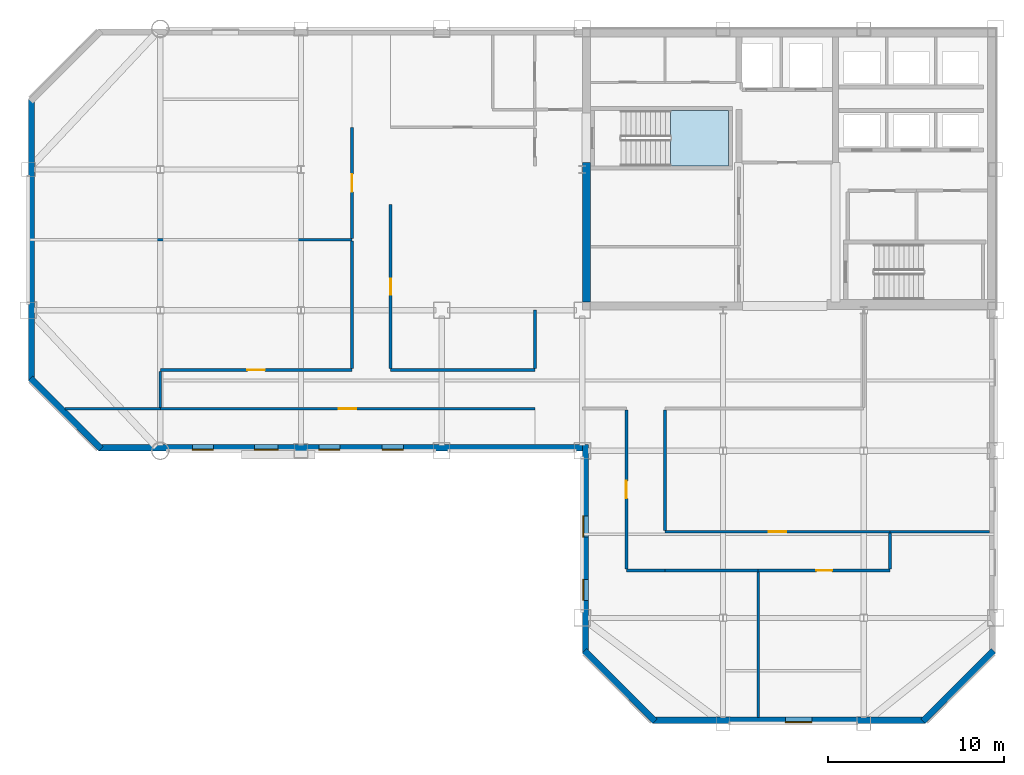
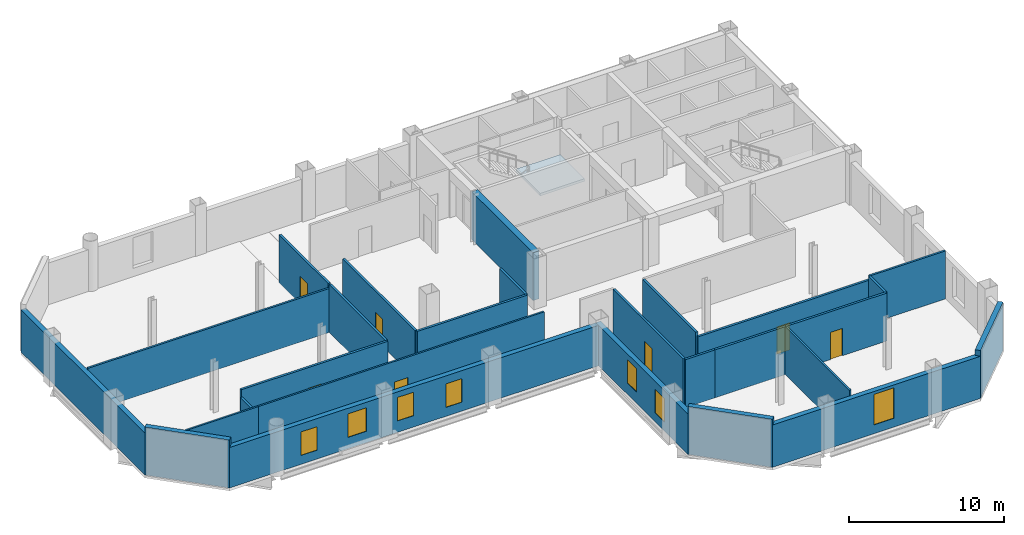
# One storey, part 4 of 10: 27 walls, 7 doors, 7 windows, 1 slab, 14 openings, 1 element without a shape of its own.
"""IFC4 building model written with IfcOpenShell, lengths in metres."""

from ifc_helpers import new_model, si_unit, direction, frame, frame_2d, origin, place, context, subcontext, project, spatial, polyline, rectangle, outline, extrude, material, layer, layer_set, type_object, element, fill, aggregate, save


model = new_model("IFC4")

# Units and contexts
model_context = context("Model", 3, precision=1e-05, world=origin(), true_north=direction((0.0, 1.0)))
body_context = subcontext(model_context, "Body", "Model", "MODEL_VIEW")
ifc_project = project(units=[si_unit("LENGTHUNIT", "METRE"), si_unit("AREAUNIT", "SQUARE_METRE"), si_unit("VOLUMEUNIT", "CUBIC_METRE"), si_unit("PLANEANGLEUNIT", "RADIAN"), si_unit("MASSUNIT", "GRAM", prefix="KILO")], contexts=[model_context])

# Site, building, storey
site_placement = place(None, origin())
site = spatial("IfcSite", under=ifc_project, at=site_placement, CompositionType="ELEMENT")
building_placement = place(site_placement, origin())
building = spatial("IfcBuilding", under=site, at=building_placement, Name="Qianrong Seaharbour Tower", CompositionType="ELEMENT")
storey_placement = place(building_placement, frame((0.0, 0.0, 233.800048828125)))
storey = spatial("IfcBuildingStorey", under=building, at=storey_placement, Name="L56", CompositionType="ELEMENT", Elevation=233.800048828125)

# Stair, slab
ifc_material_1 = material(Name="Concrete C50/60", Category="concrete")
stair_type = type_object("IfcStairType", Name="STAIR-DOGLEG-1500-R22", PredefinedType="HALF_TURN_STAIR", material=ifc_material_1)
stair_placement = place(storey_placement, origin())
stair = element("IfcStair", 1, at=stair_placement, inside=storey, type_object=stair_type, Name="L56 Protected Escape Stair ST-1", PredefinedType="HALF_TURN_STAIR")
ifc_layer_1 = layer(ifc_material_1, 0.199951171875)
ifc_layer_set_1 = layer_set([ifc_layer_1], Name="Concrete C50/60")
slab_type = type_object("IfcSlabType", Name="SLAB-STAIR-LANDING-200", PredefinedType="LANDING", material=ifc_layer_set_1)
slab_placement = place(storey_placement, frame((0.0, 0.0, 1.800048828125)))
slab = element("IfcSlab", 2, at=slab_placement, type_object=slab_type, Name="ST-1 landing 1", PredefinedType="LANDING", context=body_context, shape_type="SweptSolid", body=[
    extrude(outline(polyline([(45.5, 44.199951171875), (48.800048828125, 44.199951171875), (48.800048828125, 47.35009765625), (45.5, 47.35009765625), (45.5, 44.199951171875)])), origin(), (0.0, 0.0, 1.0), 0.199951171875),
])
aggregate(stair, [slab])

# Walls
ifc_material_2 = material(Name="Concrete C60/75", Category="concrete")
ifc_layer_2 = layer(ifc_material_2, 0.4599609375)
ifc_layer_set_2 = layer_set([ifc_layer_2], Name="Concrete C60/75")
wall_type_1 = type_object("IfcWallType", Name="WALL-CORE-460", PredefinedType="SHEAR", material=ifc_layer_set_2)
wall_1_placement = place(storey_placement, frame((40.72998046875, 36.4599609375, 0.0), z_axis=(0.0, 0.0, 1.0), x_axis=(0.0, 1.0, 0.0)))
element("IfcWall", 3, at=wall_1_placement, inside=storey, type_object=wall_type_1, Name="L56 West Core Shear Wall South", PredefinedType="SHEAR", context=body_context, shape_type="SweptSolid", body=[
    extrude(rectangle(XDim=7.93994140625, YDim=0.4599609375, at=frame_2d((3.969970703125, 0.0))), origin(), (0.0, 0.0, 1.0), 3.77490234375),
])
ifc_material_3 = material(Name="Fire-rated acoustic gypsum board partition")
ifc_layer_3 = layer(ifc_material_3, 0.1650390625)
ifc_layer_set_3 = layer_set([ifc_layer_3], Name="Fire-rated acoustic gypsum board partition")
wall_type_2 = type_object("IfcWallType", Name="WALL-CORR-PART-165", PredefinedType="PARTITIONING", material=ifc_layer_set_3)
wall_2_placement = place(storey_placement, frame((16.5, 30.45703125, 0.0), z_axis=(0.0, 0.0, 1.0), x_axis=(0.0, 1.0, 0.0)))
element("IfcWall", 4, at=wall_2_placement, inside=storey, type_object=wall_type_2, Name="L56 Interior Partition Wall 018", PredefinedType="PARTITIONING", context=body_context, shape_type="SweptSolid", body=[
    extrude(rectangle(XDim=2.068359375, YDim=0.1650390625, at=frame_2d((1.0341796875, 0.0))), origin(), (0.0, 0.0, 1.0), 3.178955078125),
])

# Wall, opening, door
wall_3_placement = place(storey_placement, frame((16.5, 32.60009765625, 0.0), z_axis=(0.0, 0.0, 1.0), x_axis=(1.0, 0.0, 0.0)))
wall_3 = element("IfcWall", 5, at=wall_3_placement, inside=storey, type_object=wall_type_2, Name="L56 Interior Partition Wall 019", PredefinedType="PARTITIONING", context=body_context, shape_type="SweptSolid", body=[
    extrude(rectangle(XDim=10.89990234375, YDim=0.1650390625, at=frame_2d((5.449951171875, 0.0))), origin(), (0.0, 0.0, 1.0), 3.77490234375),
])
opening_1_placement = place(wall_3_placement, frame((4.949951171875, 0.0, 0.0)))
opening_1 = element("IfcOpeningElement", 6, at=opening_1_placement, cuts=wall_3, Name="Opening DO-01", PredefinedType="OPENING", context=body_context, shape_type="SweptSolid", body=[
    extrude(rectangle(XDim=1.0, YDim=2.14990234375, at=frame_2d((0.5, 1.074951171875))), frame((0.0, 0.092529296875, 0.0), z_axis=(0.0, -1.0, 0.0), x_axis=(1.0, 0.0, 0.0)), (0.0, 0.0, 1.0), 0.18505859375),
])
ifc_material_4 = material(Name="Acoustic timber and galvanized steel fire door assembly", Category="steel")
door_type_1 = type_object("IfcDoorType", Name="DOOR-OFFICE-1000x2150", OperationType="NOTDEFINED", PredefinedType="DOOR", material=ifc_material_4)
door_1_placement = place(opening_1_placement, origin())
door_1 = element("IfcDoor", 7, at=door_1_placement, inside=storey, type_object=door_type_1, Name="L56 Project Library Door", OperationType="SINGLE_SWING_RIGHT", OverallHeight=2.14990234375, OverallWidth=1.0, PredefinedType="DOOR", context=body_context, shape_type="SweptSolid", body=[
    extrude(rectangle(XDim=1.0, YDim=2.14990234375, at=frame_2d((0.5, 1.074951171875))), frame((0.0, 0.02490234375, 0.0), z_axis=(0.0, -1.0, 0.0), x_axis=(1.0, 0.0, 0.0)), (0.0, 0.0, 1.0), 0.050048828125),
])
fill(opening_1, door_1)

# Wall
wall_4_placement = place(storey_placement, frame((29.60009765625, 32.60009765625, 0.0), z_axis=(0.0, 0.0, 1.0), x_axis=(1.0, 0.0, 0.0)))
element("IfcWall", 8, at=wall_4_placement, inside=storey, type_object=wall_type_2, Name="L56 Interior Partition Wall 020", PredefinedType="PARTITIONING", context=body_context, shape_type="SweptSolid", body=[
    extrude(rectangle(XDim=8.199951171875, YDim=0.1650390625, at=frame_2d((4.10009765625, 0.0))), origin(), (0.0, 0.0, 1.0), 3.77490234375),
])

# Wall, opening, door
wall_5_placement = place(storey_placement, frame((27.39990234375, 40.064453125, 0.0), z_axis=(0.0, 0.0, 1.0), x_axis=(0.0, 1.0, 0.0)))
wall_5 = element("IfcWall", 9, at=wall_5_placement, inside=storey, type_object=wall_type_2, Name="L56 Interior Partition Wall 022", PredefinedType="PARTITIONING", context=body_context, shape_type="SweptSolid", body=[
    extrude(rectangle(XDim=6.33544921875, YDim=0.1650390625, at=frame_2d((3.167724609375, 0.0))), origin(), (0.0, 0.0, 1.0), 3.77490234375),
])
opening_2_placement = place(wall_5_placement, frame((2.667724609375, 0.0, 0.0)))
opening_2 = element("IfcOpeningElement", 10, at=opening_2_placement, cuts=wall_5, Name="Opening DO-01", PredefinedType="OPENING", context=body_context, shape_type="SweptSolid", body=[
    extrude(rectangle(XDim=1.0, YDim=2.14990234375, at=frame_2d((0.5, 1.074951171875))), frame((0.0, 0.092529296875, 0.0), z_axis=(0.0, -1.0, 0.0), x_axis=(1.0, 0.0, 0.0)), (0.0, 0.0, 1.0), 0.18505859375),
])
door_2_placement = place(opening_2_placement, origin())
door_2 = element("IfcDoor", 11, at=door_2_placement, inside=storey, type_object=door_type_1, Name="L56 West Wing Open-Plan Office Door", OperationType="SINGLE_SWING_LEFT", OverallHeight=2.14990234375, OverallWidth=1.0, PredefinedType="DOOR", context=body_context, shape_type="SweptSolid", body=[
    extrude(rectangle(XDim=1.0, YDim=2.14990234375, at=frame_2d((0.5, 1.074951171875))), frame((0.0, 0.02490234375, 0.0), z_axis=(0.0, -1.0, 0.0), x_axis=(1.0, 0.0, 0.0)), (0.0, 0.0, 1.0), 0.050048828125),
])
fill(opening_2, door_2)

# Wall
wall_6_placement = place(storey_placement, frame((27.39990234375, 32.674560546875, 0.0), z_axis=(0.0, 0.0, 1.0), x_axis=(0.0, 1.0, 0.0)))
element("IfcWall", 12, at=wall_6_placement, inside=storey, type_object=wall_type_2, Name="L56 Interior Partition Wall 023", PredefinedType="PARTITIONING", context=body_context, shape_type="SweptSolid", body=[
    extrude(rectangle(XDim=7.260986328125, YDim=0.1650390625, at=frame_2d((3.63037109375, 0.0))), origin(), (0.0, 0.0, 1.0), 3.77490234375),
])

# Wall, opening, door
wall_7_placement = place(storey_placement, frame((29.60009765625, 42.0, 0.0), z_axis=(0.0, 0.0, 1.0), x_axis=(0.0, -1.0, 0.0)))
wall_7 = element("IfcWall", 13, at=wall_7_placement, inside=storey, type_object=wall_type_2, Name="L56 Interior Partition Wall 024", PredefinedType="PARTITIONING", context=body_context, shape_type="SweptSolid", body=[
    extrude(rectangle(XDim=9.325439453125, YDim=0.1650390625, at=frame_2d((4.66259765625, 0.0))), origin(), (0.0, 0.0, 1.0), 3.77490234375),
])
opening_3_placement = place(wall_7_placement, frame((4.212646484375, 0.0, 0.0)))
opening_3 = element("IfcOpeningElement", 14, at=opening_3_placement, cuts=wall_7, Name="Opening DS-01", PredefinedType="OPENING", context=body_context, shape_type="SweptSolid", body=[
    extrude(rectangle(XDim=0.89990234375, YDim=2.14990234375, at=frame_2d((0.449951171875, 1.074951171875))), frame((0.0, 0.092529296875, 0.0), z_axis=(0.0, -1.0, 0.0), x_axis=(1.0, 0.0, 0.0)), (0.0, 0.0, 1.0), 0.18505859375),
])
door_type_2 = type_object("IfcDoorType", Name="DOOR-STORE-900x2150", OperationType="NOTDEFINED", PredefinedType="DOOR", material=ifc_material_4)
door_3_placement = place(opening_3_placement, origin())
door_3 = element("IfcDoor", 15, at=door_3_placement, inside=storey, type_object=door_type_2, Name="L56 Corporate Archive Room 1 Door", OperationType="SINGLE_SWING_LEFT", OverallHeight=2.14990234375, OverallWidth=0.89990234375, PredefinedType="DOOR", context=body_context, shape_type="SweptSolid", body=[
    extrude(rectangle(XDim=0.89990234375, YDim=2.14990234375, at=frame_2d((0.449951171875, 1.074951171875))), frame((0.0, 0.02490234375, 0.0), z_axis=(0.0, -1.0, 0.0), x_axis=(1.0, 0.0, 0.0)), (0.0, 0.0, 1.0), 0.050048828125),
])
fill(opening_3, door_3)

# Walls
wall_8_placement = place(storey_placement, frame((37.800048828125, 32.674560546875, 0.0), z_axis=(0.0, 0.0, 1.0), x_axis=(0.0, 1.0, 0.0)))
element("IfcWall", 16, at=wall_8_placement, inside=storey, type_object=wall_type_2, Name="L56 Interior Partition Wall 026", PredefinedType="PARTITIONING", context=body_context, shape_type="SweptSolid", body=[
    extrude(rectangle(XDim=3.325439453125, YDim=0.1650390625, at=frame_2d((1.66259765625, 0.0))), origin(), (0.0, 0.0, 1.0), 3.77490234375),
])
wall_9_placement = place(storey_placement, frame((45.199951171875, 30.325439453125, 0.0), z_axis=(0.0, 0.0, 1.0), x_axis=(0.0, -1.0, 0.0)))
element("IfcWall", 17, at=wall_9_placement, inside=storey, type_object=wall_type_2, Name="L56 Interior Partition Wall 030", PredefinedType="PARTITIONING", context=body_context, shape_type="SweptSolid", body=[
    extrude(rectangle(XDim=6.850830078125, YDim=0.1650390625, at=frame_2d((3.42529296875, 0.0))), origin(), (0.0, 0.0, 1.0), 3.77490234375),
])
wall_10_placement = place(storey_placement, frame((45.199951171875, 21.199951171875, 0.0), z_axis=(0.0, 0.0, 1.0), x_axis=(-1.0, 0.0, 0.0)))
element("IfcWall", 18, at=wall_10_placement, inside=storey, type_object=wall_type_2, Name="L56 Interior Partition Wall 031", PredefinedType="PARTITIONING", context=body_context, shape_type="SweptSolid", body=[
    extrude(rectangle(XDim=2.199951171875, YDim=0.1650390625, at=frame_2d((1.10009765625, 0.0))), origin(), (0.0, 0.0, 1.0), 3.77490234375),
])

# Wall, opening, door
wall_11_placement = place(storey_placement, frame((43.0, 21.2744140625, 0.0), z_axis=(0.0, 0.0, 1.0), x_axis=(0.0, 1.0, 0.0)))
wall_11 = element("IfcWall", 19, at=wall_11_placement, inside=storey, type_object=wall_type_2, Name="L56 Interior Partition Wall 032", PredefinedType="PARTITIONING", context=body_context, shape_type="SweptSolid", body=[
    extrude(rectangle(XDim=9.051025390625, YDim=0.1650390625, at=frame_2d((4.525390625, 0.0))), origin(), (0.0, 0.0, 1.0), 3.77490234375),
])
opening_4_placement = place(wall_11_placement, frame((4.025390625, 0.0, 0.0)))
opening_4 = element("IfcOpeningElement", 20, at=opening_4_placement, cuts=wall_11, Name="Opening DO-01", PredefinedType="OPENING", context=body_context, shape_type="SweptSolid", body=[
    extrude(rectangle(XDim=1.0, YDim=2.14990234375, at=frame_2d((0.5, 1.074951171875))), frame((0.0, 0.092529296875, 0.0), z_axis=(0.0, -1.0, 0.0), x_axis=(1.0, 0.0, 0.0)), (0.0, 0.0, 1.0), 0.18505859375),
])
door_4_placement = place(opening_4_placement, origin())
door_4 = element("IfcDoor", 21, at=door_4_placement, inside=storey, type_object=door_type_1, Name="L56 Harbour Symposium Hall 1 Door", OperationType="SINGLE_SWING_LEFT", OverallHeight=2.14990234375, OverallWidth=1.0, PredefinedType="DOOR", context=body_context, shape_type="SweptSolid", body=[
    extrude(rectangle(XDim=1.0, YDim=2.14990234375, at=frame_2d((0.5, 1.074951171875))), frame((0.0, 0.02490234375, 0.0), z_axis=(0.0, -1.0, 0.0), x_axis=(1.0, 0.0, 0.0)), (0.0, 0.0, 1.0), 0.050048828125),
])
fill(opening_4, door_4)

wall_12_placement = place(storey_placement, frame((45.199951171875, 23.39990234375, 0.0), z_axis=(0.0, 0.0, 1.0), x_axis=(1.0, 0.0, 0.0)))
wall_12 = element("IfcWall", 22, at=wall_12_placement, inside=storey, type_object=wall_type_2, Name="L56 Interior Partition Wall 033", PredefinedType="PARTITIONING", context=body_context, shape_type="SweptSolid", body=[
    extrude(rectangle(XDim=12.800048828125, YDim=0.1650390625, at=frame_2d((6.39990234375, 0.0))), origin(), (0.0, 0.0, 1.0), 3.467041015625),
])
opening_5_placement = place(wall_12_placement, frame((5.89990234375, 0.0, 0.0)))
opening_5 = element("IfcOpeningElement", 23, at=opening_5_placement, cuts=wall_12, Name="Opening DO-01", PredefinedType="OPENING", context=body_context, shape_type="SweptSolid", body=[
    extrude(rectangle(XDim=1.0, YDim=2.14990234375, at=frame_2d((0.5, 1.074951171875))), frame((0.0, 0.092529296875, 0.0), z_axis=(0.0, -1.0, 0.0), x_axis=(1.0, 0.0, 0.0)), (0.0, 0.0, 1.0), 0.18505859375),
])
door_5_placement = place(opening_5_placement, origin())
door_5 = element("IfcDoor", 24, at=door_5_placement, inside=storey, type_object=door_type_1, Name="L56 Staff Club Assembly Hall Door", OperationType="SINGLE_SWING_LEFT", OverallHeight=2.14990234375, OverallWidth=1.0, PredefinedType="DOOR", context=body_context, shape_type="SweptSolid", body=[
    extrude(rectangle(XDim=1.0, YDim=2.14990234375, at=frame_2d((0.5, 1.074951171875))), frame((0.0, 0.02490234375, 0.0), z_axis=(0.0, -1.0, 0.0), x_axis=(1.0, 0.0, 0.0)), (0.0, 0.0, 1.0), 0.050048828125),
])
fill(opening_5, door_5)

# Walls
wall_13_placement = place(storey_placement, frame((50.5, 21.199951171875, 0.0), z_axis=(0.0, 0.0, 1.0), x_axis=(-1.0, 0.0, 0.0)))
element("IfcWall", 25, at=wall_13_placement, inside=storey, type_object=wall_type_2, Name="L56 Interior Partition Wall 034", PredefinedType="PARTITIONING", context=body_context, shape_type="SweptSolid", body=[
    extrude(rectangle(XDim=5.300048828125, YDim=0.1650390625, at=frame_2d((2.64990234375, 0.0))), origin(), (0.0, 0.0, 1.0), 3.77490234375),
])
wall_14_placement = place(storey_placement, frame((58.0, 23.325439453125, 0.0), z_axis=(0.0, 0.0, 1.0), x_axis=(0.0, -1.0, 0.0)))
element("IfcWall", 26, at=wall_14_placement, inside=storey, type_object=wall_type_2, Name="L56 Interior Partition Wall 035", PredefinedType="PARTITIONING", context=body_context, shape_type="SweptSolid", body=[
    extrude(rectangle(XDim=2.051025390625, YDim=0.1650390625, at=frame_2d((1.025390625, 0.0))), origin(), (0.0, 0.0, 1.0), 3.77490234375),
])

# Wall, opening, door
wall_15_placement = place(storey_placement, frame((58.0, 21.199951171875, 0.0), z_axis=(0.0, 0.0, 1.0), x_axis=(-1.0, 0.0, 0.0)))
wall_15 = element("IfcWall", 27, at=wall_15_placement, inside=storey, type_object=wall_type_2, Name="L56 Interior Partition Wall 036", PredefinedType="PARTITIONING", context=body_context, shape_type="SweptSolid", body=[
    extrude(rectangle(XDim=7.5, YDim=0.1650390625, at=frame_2d((3.75, 0.0))), origin(), (0.0, 0.0, 1.0), 3.77490234375),
])
opening_6_placement = place(wall_15_placement, frame((3.300048828125, 0.0, 0.0)))
opening_6 = element("IfcOpeningElement", 28, at=opening_6_placement, cuts=wall_15, Name="Opening DS-01", PredefinedType="OPENING", context=body_context, shape_type="SweptSolid", body=[
    extrude(rectangle(XDim=0.89990234375, YDim=2.14990234375, at=frame_2d((0.449951171875, 1.074951171875))), frame((0.0, 0.092529296875, 0.0), z_axis=(0.0, -1.0, 0.0), x_axis=(1.0, 0.0, 0.0)), (0.0, 0.0, 1.0), 0.18505859375),
])
door_6_placement = place(opening_6_placement, origin())
door_6 = element("IfcDoor", 29, at=door_6_placement, inside=storey, type_object=door_type_2, Name="L56 Corporate Archive Room 2 Door", OperationType="SINGLE_SWING_RIGHT", OverallHeight=2.14990234375, OverallWidth=0.89990234375, PredefinedType="DOOR", context=body_context, shape_type="SweptSolid", body=[
    extrude(rectangle(XDim=0.89990234375, YDim=2.14990234375, at=frame_2d((0.449951171875, 1.074951171875))), frame((0.0, 0.02490234375, 0.0), z_axis=(0.0, -1.0, 0.0), x_axis=(1.0, 0.0, 0.0)), (0.0, 0.0, 1.0), 0.050048828125),
])
fill(opening_6, door_6)

# Wall, openings, windows
ifc_material_5 = material(Name="Unitised red brick on Precast concrete C45/55", Category="masonry")
ifc_layer_4 = layer(ifc_material_5, 0.360107421875)
ifc_layer_set_4 = layer_set([ifc_layer_4], Name="Unitised red brick on Precast concrete C45/55")
wall_type_3 = type_object("IfcWallType", Name="WALL-EXT-BRICK-RED-360", PredefinedType="SOLIDWALL", material=ifc_layer_set_4)
wall_16_placement = place(storey_placement, frame((40.679931640625, 16.5, 0.0), z_axis=(0.0, 0.0, 1.0), x_axis=(0.0, 1.0, 0.0)))
wall_16 = element("IfcWall", 30, at=wall_16_placement, inside=storey, type_object=wall_type_3, Name="L56 Exterior Masonry Facade Wall REENTRANT_WEST", PredefinedType="SOLIDWALL", context=body_context, shape_type="SweptSolid", body=[
    extrude(rectangle(XDim=11.860107421875, YDim=0.360107421875, at=frame_2d((5.93017578125, 0.0))), origin(), (0.0, 0.0, 1.0), 3.18701171875),
])
opening_7_placement = place(wall_16_placement, frame((3.0, 0.0, 0.699951171875)))
opening_7 = element("IfcOpeningElement", 31, at=opening_7_placement, cuts=wall_16, Name="Opening WN-01", PredefinedType="OPENING", context=body_context, shape_type="SweptSolid", body=[
    extrude(rectangle(XDim=1.199951171875, YDim=1.85009765625, at=frame_2d((0.60009765625, 0.925048828125))), frame((0.0, 0.18994140625, 0.0), z_axis=(0.0, -1.0, 0.0), x_axis=(1.0, 0.0, 0.0)), (0.0, 0.0, 1.0), 0.380126953125),
])
opening_8_placement = place(wall_16_placement, frame((6.60009765625, 0.0, 0.89990234375)))
opening_8 = element("IfcOpeningElement", 32, at=opening_8_placement, cuts=wall_16, Name="Opening WN-01", PredefinedType="OPENING", context=body_context, shape_type="SweptSolid", body=[
    extrude(rectangle(XDim=1.199951171875, YDim=1.85009765625, at=frame_2d((0.60009765625, 0.925048828125))), frame((0.0, 0.18994140625, 0.0), z_axis=(0.0, -1.0, 0.0), x_axis=(1.0, 0.0, 0.0)), (0.0, 0.0, 1.0), 0.380126953125),
])
ifc_material_6 = material(Name="Insulated low-e double glazing in thermally broken aluminium 6063-T6 frame", Category="aluminium")
window_type_1 = type_object("IfcWindowType", Name="WIN-PUNCH-1200x1850", PartitioningType="DOUBLE_PANEL_VERTICAL", PredefinedType="WINDOW", material=ifc_material_6)
window_1_placement = place(opening_7_placement, origin())
window_1 = element("IfcWindow", 33, at=window_1_placement, inside=storey, type_object=window_type_1, Name="L56 Deep-Set Punched Window 00.01", OverallHeight=1.85009765625, OverallWidth=1.199951171875, PartitioningType="DOUBLE_PANEL_VERTICAL", PredefinedType="WINDOW", context=body_context, shape_type="SweptSolid", body=[
    extrude(rectangle(XDim=1.199951171875, YDim=1.85009765625, at=frame_2d((0.60009765625, 0.925048828125))), frame((0.0, 0.150146484375, 0.0), z_axis=(0.0, -1.0, 0.0), x_axis=(1.0, 0.0, 0.0)), (0.0, 0.0, 1.0), 0.06005859375),
])
fill(opening_7, window_1)
window_2_placement = place(opening_8_placement, origin())
window_2 = element("IfcWindow", 34, at=window_2_placement, inside=storey, type_object=window_type_1, Name="L56 Deep-Set Punched Window 00.02", OverallHeight=1.85009765625, OverallWidth=1.199951171875, PartitioningType="DOUBLE_PANEL_VERTICAL", PredefinedType="WINDOW", context=body_context, shape_type="SweptSolid", body=[
    extrude(rectangle(XDim=1.199951171875, YDim=1.85009765625, at=frame_2d((0.60009765625, 0.925048828125))), frame((0.0, 0.150146484375, 0.0), z_axis=(0.0, -1.0, 0.0), x_axis=(1.0, 0.0, 0.0)), (0.0, 0.0, 1.0), 0.06005859375),
])
fill(opening_8, window_2)

wall_17_placement = place(storey_placement, frame((40.52001953125, 28.179931640625, 0.0), z_axis=(0.0, 0.0, 1.0), x_axis=(-1.0, 0.0, 0.0)))
wall_17 = element("IfcWall", 35, at=wall_17_placement, inside=storey, type_object=wall_type_3, Name="L56 Exterior Masonry Facade Wall HARBOUR_RIBBON", PredefinedType="SOLIDWALL", context=body_context, shape_type="SweptSolid", body=[
    extrude(rectangle(XDim=27.52001953125, YDim=0.360107421875, at=frame_2d((13.760009765625, 0.0))), origin(), (0.0, 0.0, 1.0), 3.18701171875),
])
opening_9_placement = place(wall_17_placement, frame((10.199951171875, 0.0, 0.699951171875)))
opening_9 = element("IfcOpeningElement", 36, at=opening_9_placement, cuts=wall_17, Name="Opening WN-01", PredefinedType="OPENING", context=body_context, shape_type="SweptSolid", body=[
    extrude(rectangle(XDim=1.199951171875, YDim=1.85009765625, at=frame_2d((0.60009765625, 0.925048828125))), frame((0.0, 0.18994140625, 0.0), z_axis=(0.0, -1.0, 0.0), x_axis=(1.0, 0.0, 0.0)), (0.0, 0.0, 1.0), 0.380126953125),
])
opening_10_placement = place(wall_17_placement, frame((13.800048828125, 0.0, 0.89990234375)))
opening_10 = element("IfcOpeningElement", 37, at=opening_10_placement, cuts=wall_17, Name="Opening WN-01", PredefinedType="OPENING", context=body_context, shape_type="SweptSolid", body=[
    extrude(rectangle(XDim=1.199951171875, YDim=1.85009765625, at=frame_2d((0.60009765625, 0.925048828125))), frame((0.0, 0.18994140625, 0.0), z_axis=(0.0, -1.0, 0.0), x_axis=(1.0, 0.0, 0.0)), (0.0, 0.0, 1.0), 0.380126953125),
])
opening_11_placement = place(wall_17_placement, frame((17.324951171875, 0.0, 0.89990234375)))
opening_11 = element("IfcOpeningElement", 38, at=opening_11_placement, cuts=wall_17, Name="Opening WN-02", PredefinedType="OPENING", context=body_context, shape_type="SweptSolid", body=[
    extrude(rectangle(XDim=1.35009765625, YDim=1.85009765625, at=frame_2d((0.675048828125, 0.925048828125))), frame((0.0, 0.18994140625, 0.0), z_axis=(0.0, -1.0, 0.0), x_axis=(1.0, 0.0, 0.0)), (0.0, 0.0, 1.0), 0.380126953125),
])
opening_12_placement = place(wall_17_placement, frame((21.0, 0.0, 0.699951171875)))
opening_12 = element("IfcOpeningElement", 39, at=opening_12_placement, cuts=wall_17, Name="Opening WN-01", PredefinedType="OPENING", context=body_context, shape_type="SweptSolid", body=[
    extrude(rectangle(XDim=1.199951171875, YDim=1.85009765625, at=frame_2d((0.60009765625, 0.925048828125))), frame((0.0, 0.18994140625, 0.0), z_axis=(0.0, -1.0, 0.0), x_axis=(1.0, 0.0, 0.0)), (0.0, 0.0, 1.0), 0.380126953125),
])
window_3_placement = place(opening_9_placement, origin())
window_3 = element("IfcWindow", 40, at=window_3_placement, inside=storey, type_object=window_type_1, Name="L56 Deep-Set Punched Window 01.03", OverallHeight=1.85009765625, OverallWidth=1.199951171875, PartitioningType="DOUBLE_PANEL_VERTICAL", PredefinedType="WINDOW", context=body_context, shape_type="SweptSolid", body=[
    extrude(rectangle(XDim=1.199951171875, YDim=1.85009765625, at=frame_2d((0.60009765625, 0.925048828125))), frame((0.0, 0.150146484375, 0.0), z_axis=(0.0, -1.0, 0.0), x_axis=(1.0, 0.0, 0.0)), (0.0, 0.0, 1.0), 0.06005859375),
])
fill(opening_9, window_3)
window_4_placement = place(opening_10_placement, origin())
window_4 = element("IfcWindow", 41, at=window_4_placement, inside=storey, type_object=window_type_1, Name="L56 Deep-Set Punched Window 01.04", OverallHeight=1.85009765625, OverallWidth=1.199951171875, PartitioningType="DOUBLE_PANEL_VERTICAL", PredefinedType="WINDOW", context=body_context, shape_type="SweptSolid", body=[
    extrude(rectangle(XDim=1.199951171875, YDim=1.85009765625, at=frame_2d((0.60009765625, 0.925048828125))), frame((0.0, 0.150146484375, 0.0), z_axis=(0.0, -1.0, 0.0), x_axis=(1.0, 0.0, 0.0)), (0.0, 0.0, 1.0), 0.06005859375),
])
fill(opening_10, window_4)
window_5_placement = place(opening_12_placement, origin())
window_5 = element("IfcWindow", 42, at=window_5_placement, inside=storey, type_object=window_type_1, Name="L56 Deep-Set Punched Window 01.06", OverallHeight=1.85009765625, OverallWidth=1.199951171875, PartitioningType="DOUBLE_PANEL_VERTICAL", PredefinedType="WINDOW", context=body_context, shape_type="SweptSolid", body=[
    extrude(rectangle(XDim=1.199951171875, YDim=1.85009765625, at=frame_2d((0.60009765625, 0.925048828125))), frame((0.0, 0.150146484375, 0.0), z_axis=(0.0, -1.0, 0.0), x_axis=(1.0, 0.0, 0.0)), (0.0, 0.0, 1.0), 0.06005859375),
])
fill(opening_12, window_5)
window_type_2 = type_object("IfcWindowType", Name="WIN-PUNCH-1350x1850", PartitioningType="DOUBLE_PANEL_VERTICAL", PredefinedType="WINDOW", material=ifc_material_6)
window_6_placement = place(opening_11_placement, origin())
window_6 = element("IfcWindow", 43, at=window_6_placement, inside=storey, type_object=window_type_2, Name="L56 Deep-Set Punched Window 01.05", OverallHeight=1.85009765625, OverallWidth=1.35009765625, PartitioningType="DOUBLE_PANEL_VERTICAL", PredefinedType="WINDOW", context=body_context, shape_type="SweptSolid", body=[
    extrude(rectangle(XDim=1.35009765625, YDim=1.85009765625, at=frame_2d((0.675048828125, 0.925048828125))), frame((0.0, 0.150146484375, 0.0), z_axis=(0.0, -1.0, 0.0), x_axis=(1.0, 0.0, 0.0)), (0.0, 0.0, 1.0), 0.06005859375),
])
fill(opening_11, window_6)

# Walls
wall_18_placement = place(storey_placement, frame((13.127197265625, 28.127197265625, 0.0), z_axis=(0.0, 0.0, 1.0), x_axis=(-0.707106781187, 0.707106781187, 0.0)))
element("IfcWall", 44, at=wall_18_placement, inside=storey, type_object=wall_type_3, Name="L56 Exterior Masonry Facade Wall E02", PredefinedType="SOLIDWALL", context=body_context, shape_type="SweptSolid", body=[
    extrude(rectangle(XDim=5.65673828125, YDim=0.360107421875, at=frame_2d((2.828369140625, 0.0))), origin(), (0.0, 0.0, 1.0), 3.77490234375),
])
wall_19_placement = place(storey_placement, frame((9.179931640625, 32.0, 0.0), z_axis=(0.0, 0.0, 1.0), x_axis=(0.0, 1.0, 0.0)))
element("IfcWall", 45, at=wall_19_placement, inside=storey, type_object=wall_type_3, Name="L56 Exterior Masonry Facade Wall WEST_TIP", PredefinedType="SOLIDWALL", context=body_context, shape_type="SweptSolid", body=[
    extrude(rectangle(XDim=16.0, YDim=0.360107421875, at=frame_2d((8.0, 0.0))), origin(), (0.0, 0.0, 1.0), 3.324951171875),
])
wall_20_placement = place(storey_placement, frame((63.872802734375, 16.627197265625, 0.0), z_axis=(0.0, 0.0, 1.0), x_axis=(-0.707106781187, -0.707106781187, 0.0)))
element("IfcWall", 46, at=wall_20_placement, inside=storey, type_object=wall_type_3, Name="L56 Exterior Masonry Facade Wall E07", PredefinedType="SOLIDWALL", context=body_context, shape_type="SweptSolid", body=[
    extrude(rectangle(XDim=5.65673828125, YDim=0.360107421875, at=frame_2d((2.828369140625, 0.0))), origin(), (0.0, 0.0, 1.0), 3.77490234375),
])

# Wall, opening, window
wall_21_placement = place(storey_placement, frame((60.0, 12.679931640625, 0.0), z_axis=(0.0, 0.0, 1.0), x_axis=(-1.0, 0.0, 0.0)))
wall_21 = element("IfcWall", 47, at=wall_21_placement, inside=storey, type_object=wall_type_3, Name="L56 Exterior Masonry Facade Wall SOUTH_TIP", PredefinedType="SOLIDWALL", context=body_context, shape_type="SweptSolid", body=[
    extrude(rectangle(XDim=15.5, YDim=0.360107421875, at=frame_2d((7.75, 0.0))), origin(), (0.0, 0.0, 1.0), 3.324951171875),
])
opening_13_placement = place(wall_21_placement, frame((6.449951171875, 0.0, 0.699951171875)))
opening_13 = element("IfcOpeningElement", 48, at=opening_13_placement, cuts=wall_21, Name="Opening WN-08", PredefinedType="OPENING", context=body_context, shape_type="SweptSolid", body=[
    extrude(rectangle(XDim=1.5, YDim=2.39990234375, at=frame_2d((0.75, 1.199951171875))), frame((0.0, 0.18994140625, 0.0), z_axis=(0.0, -1.0, 0.0), x_axis=(1.0, 0.0, 0.0)), (0.0, 0.0, 1.0), 0.380126953125),
])
window_type_3 = type_object("IfcWindowType", Name="WIN-PUNCH-1500x2400", PartitioningType="DOUBLE_PANEL_HORIZONTAL", PredefinedType="WINDOW", material=ifc_material_6)
window_7_placement = place(opening_13_placement, origin())
window_7 = element("IfcWindow", 49, at=window_7_placement, inside=storey, type_object=window_type_3, Name="L56 Deep-Set Punched Window 08.02", OverallHeight=2.39990234375, OverallWidth=1.5, PartitioningType="DOUBLE_PANEL_HORIZONTAL", PredefinedType="WINDOW", context=body_context, shape_type="SweptSolid", body=[
    extrude(rectangle(XDim=1.5, YDim=2.39990234375, at=frame_2d((0.75, 1.199951171875))), frame((0.0, 0.150146484375, 0.0), z_axis=(0.0, -1.0, 0.0), x_axis=(1.0, 0.0, 0.0)), (0.0, 0.0, 1.0), 0.06005859375),
])
fill(opening_13, window_7)

# Walls
wall_22_placement = place(storey_placement, frame((44.627197265625, 12.627197265625, 0.0), z_axis=(0.0, 0.0, 1.0), x_axis=(-0.707106781187, 0.707106781187, 0.0)))
element("IfcWall", 50, at=wall_22_placement, inside=storey, type_object=wall_type_3, Name="L56 Exterior Masonry Facade Wall E09", PredefinedType="SOLIDWALL", context=body_context, shape_type="SweptSolid", body=[
    extrude(rectangle(XDim=5.65673828125, YDim=0.360107421875, at=frame_2d((2.828369140625, 0.0))), origin(), (0.0, 0.0, 1.0), 3.77490234375),
])
ifc_material_7 = material(Name="Acoustic gypsum board stud partition")
ifc_layer_5 = layer(ifc_material_7, 0.14501953125)
ifc_layer_set_5 = layer_set([ifc_layer_5], Name="Acoustic gypsum board stud partition")
wall_type_4 = type_object("IfcWallType", Name="WALL-OFFICE-PART-145", PredefinedType="PARTITIONING", material=ifc_layer_set_5)
wall_23_placement = place(storey_placement, frame((27.39990234375, 40.0, 0.0), z_axis=(0.0, 0.0, 1.0), x_axis=(-1.0, 0.0, 0.0)))
element("IfcWall", 51, at=wall_23_placement, inside=storey, type_object=wall_type_4, Name="L56 Interior Partition Wall 037", PredefinedType="PARTITIONING", context=body_context, shape_type="SweptSolid", body=[
    extrude(rectangle(XDim=18.0478515625, YDim=0.14501953125, at=frame_2d((9.02392578125, 0.0))), origin(), (0.0, 0.0, 1.0), 3.467041015625),
])
wall_24_placement = place(storey_placement, frame((63.64794921875, 23.39990234375, 0.0), z_axis=(0.0, 0.0, 1.0), x_axis=(-1.0, 0.0, 0.0)))
element("IfcWall", 52, at=wall_24_placement, inside=storey, type_object=wall_type_4, Name="L56 Interior Partition Wall 039", PredefinedType="PARTITIONING", context=body_context, shape_type="SweptSolid", body=[
    extrude(rectangle(XDim=5.64794921875, YDim=0.14501953125, at=frame_2d((2.823974609375, 0.0))), origin(), (0.0, 0.0, 1.0), 3.77490234375),
])
wall_25_placement = place(storey_placement, frame((50.5, 21.12548828125, 0.0), z_axis=(0.0, 0.0, 1.0), x_axis=(0.0, -1.0, 0.0)))
element("IfcWall", 53, at=wall_25_placement, inside=storey, type_object=wall_type_4, Name="L56 Interior Partition Wall 040", PredefinedType="PARTITIONING", context=body_context, shape_type="SweptSolid", body=[
    extrude(rectangle(XDim=8.2734375, YDim=0.14501953125, at=frame_2d((4.13671875, 0.0))), origin(), (0.0, 0.0, 1.0), 3.77490234375),
])

# Wall, opening, door
ifc_material_8 = material(Name="Water-resistant cement board sanitary partition")
ifc_layer_6 = layer(ifc_material_8, 0.1298828125)
ifc_layer_set_6 = layer_set([ifc_layer_6], Name="Water-resistant cement board sanitary partition")
wall_type_5 = type_object("IfcWallType", Name="WALL-WET-PART-130", PredefinedType="PARTITIONING", material=ifc_layer_set_6)
wall_26_placement = place(storey_placement, frame((37.800048828125, 30.39990234375, 0.0), z_axis=(0.0, 0.0, 1.0), x_axis=(-1.0, 0.0, 0.0)))
wall_26 = element("IfcWall", 54, at=wall_26_placement, inside=storey, type_object=wall_type_5, Name="L56 Interior Partition Wall 021", PredefinedType="PARTITIONING", context=body_context, shape_type="SweptSolid", body=[
    extrude(rectangle(XDim=21.300048828125, YDim=0.1298828125, at=frame_2d((10.64990234375, 0.0))), origin(), (0.0, 0.0, 1.0), 3.77490234375),
])
opening_14_placement = place(wall_26_placement, frame((10.14990234375, 0.0, 0.0)))
opening_14 = element("IfcOpeningElement", 55, at=opening_14_placement, cuts=wall_26, Name="Opening DO-01", PredefinedType="OPENING", context=body_context, shape_type="SweptSolid", body=[
    extrude(rectangle(XDim=1.0, YDim=2.14990234375, at=frame_2d((0.5, 1.074951171875))), frame((0.0, 0.074951171875, 0.0), z_axis=(0.0, -1.0, 0.0), x_axis=(1.0, 0.0, 0.0)), (0.0, 0.0, 1.0), 0.14990234375),
])
door_7_placement = place(opening_14_placement, origin())
door_7 = element("IfcDoor", 56, at=door_7_placement, inside=storey, type_object=door_type_1, Name="L56 Wet Pantry Door", OperationType="SINGLE_SWING_RIGHT", OverallHeight=2.14990234375, OverallWidth=1.0, PredefinedType="DOOR", context=body_context, shape_type="SweptSolid", body=[
    extrude(rectangle(XDim=1.0, YDim=2.14990234375, at=frame_2d((0.5, 1.074951171875))), frame((0.0, 0.02490234375, 0.0), z_axis=(0.0, -1.0, 0.0), x_axis=(1.0, 0.0, 0.0)), (0.0, 0.0, 1.0), 0.050048828125),
])
fill(opening_14, door_7)

# Wall
wall_27_placement = place(storey_placement, frame((16.5, 30.39990234375, 0.0), z_axis=(0.0, 0.0, 1.0), x_axis=(-1.0, 0.0, 0.0)))
element("IfcWall", 57, at=wall_27_placement, inside=storey, type_object=wall_type_5, Name="L56 Interior Partition Wall 038", PredefinedType="PARTITIONING", context=body_context, shape_type="SweptSolid", body=[
    extrude(rectangle(XDim=5.402099609375, YDim=0.1298828125, at=frame_2d((2.701171875, 0.0))), origin(), (0.0, 0.0, 1.0), 3.77490234375),
])

save(model, "model.ifc")
